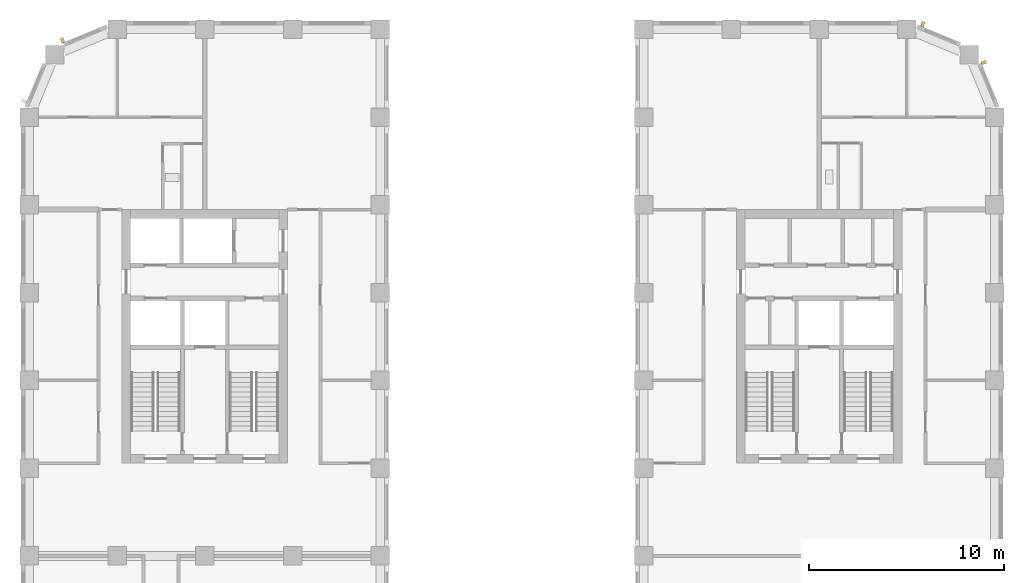
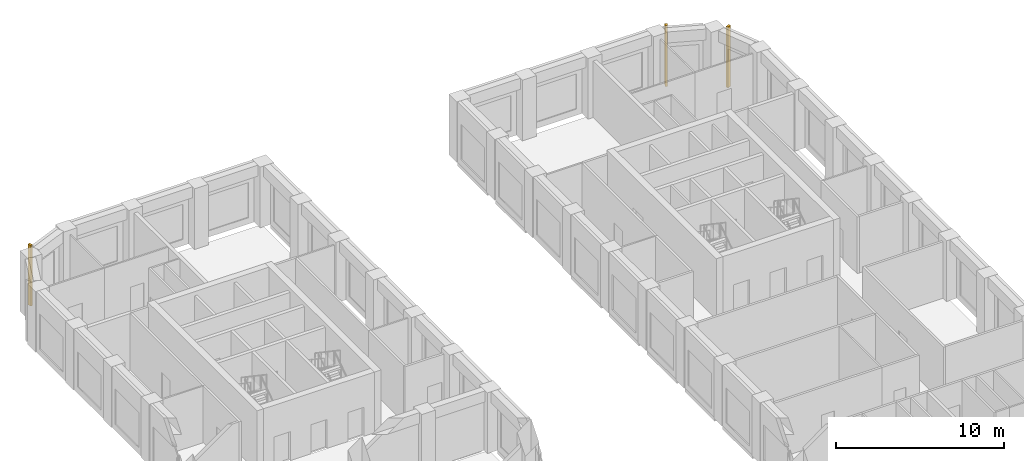
# One storey, part 12 of 13: 3 shading devices.
"""IFC4 building model written with IfcOpenShell, lengths in metres."""

from ifc_helpers import new_model, si_unit, direction, frame, origin, origin_2d, place, context, subcontext, project, spatial, rectangle, extrude, material, type_object, element, save


model = new_model("IFC4")

# Units and contexts
model_context = context("Model", 3, precision=1e-05, world=origin(), true_north=direction((0.0, 1.0)))
body_context = subcontext(model_context, "Body", "Model", "MODEL_VIEW")
ifc_project = project(units=[si_unit("LENGTHUNIT", "METRE"), si_unit("AREAUNIT", "SQUARE_METRE"), si_unit("VOLUMEUNIT", "CUBIC_METRE"), si_unit("PLANEANGLEUNIT", "RADIAN"), si_unit("MASSUNIT", "GRAM", prefix="KILO")], contexts=[model_context])

# Site, building, storey
site_placement = place(None, origin())
site = spatial("IfcSite", under=ifc_project, at=site_placement, CompositionType="ELEMENT")
building_placement = place(site_placement, origin())
building = spatial("IfcBuilding", under=site, at=building_placement, Name="Girih Gate Residences", CompositionType="ELEMENT")
storey_placement = place(building_placement, frame((0.0, 0.0, 150.60009765625)))
storey = spatial("IfcBuildingStorey", under=building, at=storey_placement, Name="L42", CompositionType="ELEMENT", Elevation=150.60009765625)

# Shading devices
ifc_material = material(Name="Precast concrete C50/60", Category="concrete")
shading_device_type = type_object("IfcShadingDeviceType", Name="Corner rib 150x250", PredefinedType="USERDEFINED", material=ifc_material)
for number, where, z_axis, x_axis, name in (
    (1, (1.705322265625, 48.937744140625, 0.0), (0.0, 0.0, 1.0), (-0.923879532511, -0.382683432365, 0.0), "Corner rib NW0045_0495.0"),
    (2, (48.937744140625, 47.794677734375, 0.0), (0.0, 0.0, 1.0), (-0.382683432365, 0.923879532511, 0.0), "Corner rib NE0495_0450.0"),
    (3, (45.808349609375, 49.760498046875, 0.0), (0.0, 0.0, 1.0), (-0.923879532511, 0.382683432365, 0.0), "Corner rib NE0482_0482.0"),
):
    element("IfcShadingDevice", number, at=place(storey_placement, frame(where, z_axis=z_axis, x_axis=x_axis)), inside=storey, type_object=shading_device_type, Name=name, ObjectType="FIN", PredefinedType="USERDEFINED", context=body_context, shape_type="SweptSolid", body=[
        extrude(rectangle(XDim=0.14990234375, YDim=0.25, at=origin_2d()), origin(), (0.0, 0.0, 1.0), 4.39990234375),
    ])

save(model, "model.ifc")
